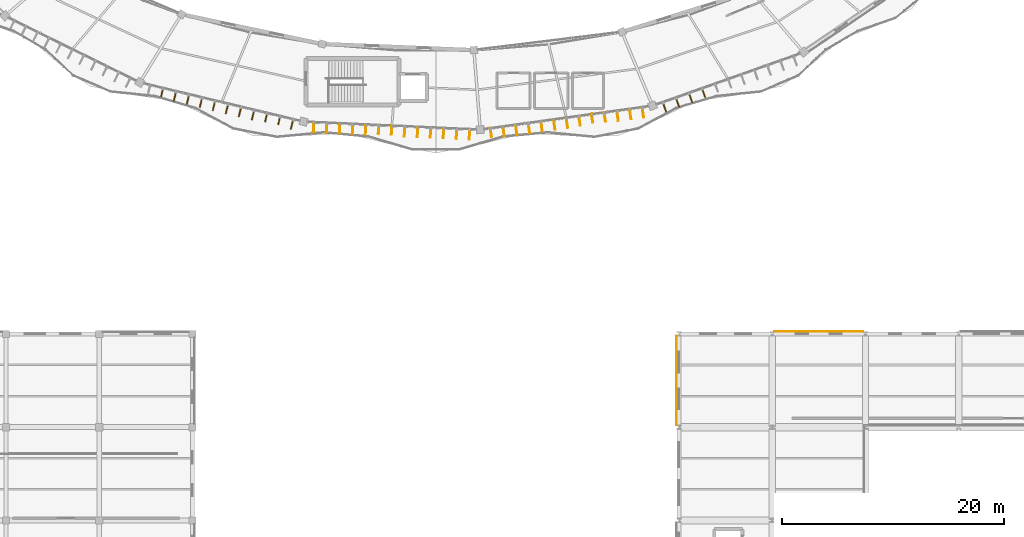
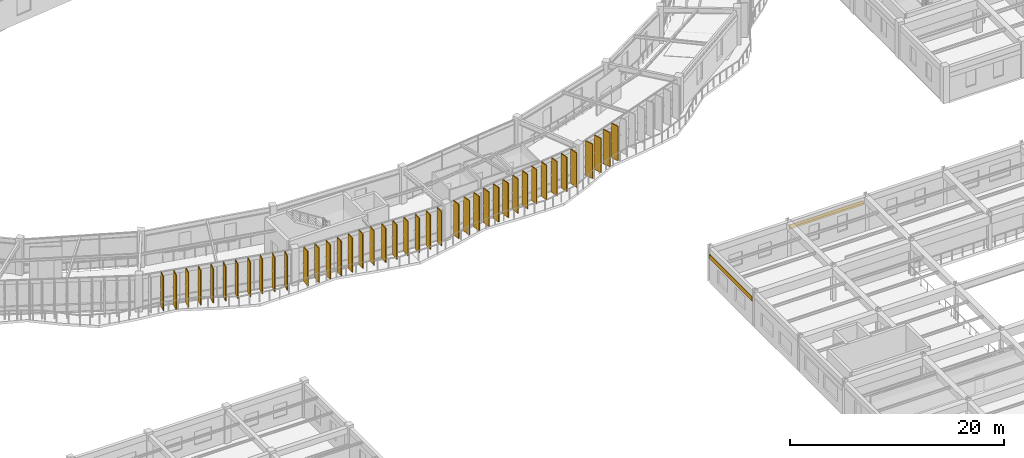
# One storey, part 130 of 138: 41 shading devices, 2 coverings.
"""IFC4 building model written with IfcOpenShell, lengths in metres."""

from ifc_helpers import new_model, si_unit, direction, frame, origin, origin_2d, place, context, subcontext, project, spatial, polyline, rectangle, outline, extrude, material, layer, layer_set, type_object, element, save


model = new_model("IFC4")

# Units and contexts
model_context = context("Model", 3, precision=1e-05, world=origin(), true_north=direction((0.0, 1.0)))
body_context = subcontext(model_context, "Body", "Model", "MODEL_VIEW")
ifc_project = project(units=[si_unit("LENGTHUNIT", "METRE"), si_unit("AREAUNIT", "SQUARE_METRE"), si_unit("VOLUMEUNIT", "CUBIC_METRE"), si_unit("PLANEANGLEUNIT", "RADIAN"), si_unit("MASSUNIT", "GRAM", prefix="KILO"), si_unit("THERMODYNAMICTEMPERATUREUNIT", "KELVIN"), si_unit("POWERUNIT", "WATT")], contexts=[model_context])

# Site, building, storey
site_placement = place(None, origin())
site = spatial("IfcSite", under=ifc_project, at=site_placement, CompositionType="ELEMENT")
building_placement = place(site_placement, origin())
building = spatial("IfcBuilding", under=site, at=building_placement, Name="Darbajah Civic Hall", CompositionType="ELEMENT")
storey_placement = place(building_placement, frame((0.0, 0.0, 9.60009765625)))
storey = spatial("IfcBuildingStorey", under=building, at=storey_placement, Name="L02", CompositionType="ELEMENT", Elevation=9.60009765625)

# Coverings
ifc_material_1 = material(Name="Qatari Desert Limestone Ashlar", Category="masonry")
ifc_layer = layer(ifc_material_1, 0.044921875, Name="Qatari Desert Limestone Ashlar")
ifc_layer_set = layer_set([ifc_layer], Name="Qatari Desert Limestone Ashlar")
covering_type = type_object("IfcCoveringType", Name="Limestone Facade Cladding", PredefinedType="CLADDING", material=ifc_layer_set)
covering_1_placement = place(storey_placement, frame((0.0, 0.0, 2.77001953125)))
element("IfcCovering", 1, at=covering_1_placement, inside=storey, type_object=covering_type, Name="L02 stone frieze cladding EW-V3-L02-S4-B6", PredefinedType="CLADDING", context=body_context, shape_type="SweptSolid", body=[
    extrude(outline(polyline([(127.61181640625, 42.18994140625), (119.58837890625, 42.18994140625), (119.58837890625, 42.235107421875), (127.61181640625, 42.235107421875), (127.61181640625, 42.18994140625)])), origin(), (0.0, 0.0, 1.0), 0.5),
])
covering_2_placement = place(storey_placement, frame((0.0, 0.0, 2.77001953125)))
element("IfcCovering", 2, at=covering_2_placement, inside=storey, type_object=covering_type, Name="L02 stone frieze cladding EW-V3-L02-S5-B0", PredefinedType="CLADDING", context=body_context, shape_type="SweptSolid", body=[
    extrude(outline(polyline([(110.81005859375, 41.81396484375), (110.81005859375, 33.7861328125), (110.764892578125, 33.7861328125), (110.764892578125, 41.81396484375), (110.81005859375, 41.81396484375)])), origin(), (0.0, 0.0, 1.0), 0.5),
])

# Shading devices
ifc_material_2 = material(Name="Bronze Anodised Aluminium and Teak Composite", Category="aluminium")
shading_device_type = type_object("IfcShadingDeviceType", Name="Vertical Bronze Timber Shading Fin", PredefinedType="USERDEFINED", material=ifc_material_2)
for number, where, z_axis, x_axis, name in (
    (3, (64.460693359375, 63.76220703125, 0.0), (0.0, 0.0, 1.0), (-0.232936200179, -0.972492018808, 0.0), "L02 vertical shading fin VF-13-2"),
    (4, (65.603515625, 63.362548828125, 0.0), (0.0, 0.0, 1.0), (-0.232936200179, -0.972492018808, 0.0), "L02 vertical shading fin VF-13-3"),
    (5, (66.77490234375, 63.081787109375, 0.0), (0.0, 0.0, 1.0), (-0.232936200179, -0.972492018808, 0.0), "L02 vertical shading fin VF-13-4"),
    (6, (67.9462890625, 62.80126953125, 0.0), (0.0, 0.0, 1.0), (-0.232936200179, -0.972492018808, 0.0), "L02 vertical shading fin VF-13-5"),
    (7, (69.11767578125, 62.5205078125, 0.0), (0.0, 0.0, 1.0), (-0.232936200179, -0.972492018808, 0.0), "L02 vertical shading fin VF-13-6"),
    (8, (70.289306640625, 62.239990234375, 0.0), (0.0, 0.0, 1.0), (-0.232936200179, -0.972492018808, 0.0), "L02 vertical shading fin VF-13-7"),
    (9, (71.460693359375, 61.959228515625, 0.0), (0.0, 0.0, 1.0), (-0.232936200179, -0.972492018808, 0.0), "L02 vertical shading fin VF-13-8"),
    (10, (72.632080078125, 61.6787109375, 0.0), (0.0, 0.0, 1.0), (-0.232936200179, -0.972492018808, 0.0), "L02 vertical shading fin VF-13-9"),
    (11, (73.828125, 61.501220703125, 0.0), (0.0, 0.0, 1.0), (-0.232936200179, -0.972492018808, 0.0), "L02 vertical shading fin VF-13-10"),
    (12, (75.009521484375, 61.26220703125, 0.0), (0.0, 0.0, 1.0), (-0.232936200179, -0.972492018808, 0.0), "L02 vertical shading fin VF-13-11"),
    (13, (76.148193359375, 60.8447265625, 0.0), (0.0, 0.0, 1.0), (-0.232936200179, -0.972492018808, 0.0), "L02 vertical shading fin VF-13-12"),
    (14, (78.107177734375, 60.55810546875, 0.0), (0.0, 0.0, 1.0), (-0.045537340693, -0.998962637241, 0.0), "L02 vertical shading fin VF-14-1"),
    (15, (79.27685546875, 60.5048828125, 0.0), (0.0, 0.0, 1.0), (-0.045537340693, -0.998962637241, 0.0), "L02 vertical shading fin VF-14-2"),
    (16, (80.4462890625, 60.451416015625, 0.0), (0.0, 0.0, 1.0), (-0.045537340693, -0.998962637241, 0.0), "L02 vertical shading fin VF-14-3"),
    (17, (81.61572265625, 60.398193359375, 0.0), (0.0, 0.0, 1.0), (-0.045537340693, -0.998962637241, 0.0), "L02 vertical shading fin VF-14-4"),
    (18, (82.785400390625, 60.344970703125, 0.0), (0.0, 0.0, 1.0), (-0.045537340693, -0.998962637241, 0.0), "L02 vertical shading fin VF-14-5"),
    (19, (83.9609375, 60.42578125, 0.0), (0.0, 0.0, 1.0), (-0.045537340693, -0.998962637241, 0.0), "L02 vertical shading fin VF-14-6"),
    (20, (85.1298828125, 60.361328125, 0.0), (0.0, 0.0, 1.0), (-0.045537340693, -0.998962637241, 0.0), "L02 vertical shading fin VF-14-7"),
    (21, (86.2939453125, 60.185302734375, 0.0), (0.0, 0.0, 1.0), (-0.045537340693, -0.998962637241, 0.0), "L02 vertical shading fin VF-14-8"),
    (22, (87.46337890625, 60.132080078125, 0.0), (0.0, 0.0, 1.0), (-0.045537340693, -0.998962637241, 0.0), "L02 vertical shading fin VF-14-9"),
    (23, (88.633056640625, 60.078857421875, 0.0), (0.0, 0.0, 1.0), (-0.045537340693, -0.998962637241, 0.0), "L02 vertical shading fin VF-14-10"),
    (24, (89.802490234375, 60.025390625, 0.0), (0.0, 0.0, 1.0), (-0.045537340693, -0.998962637241, 0.0), "L02 vertical shading fin VF-14-11"),
    (25, (90.97216796875, 59.972412109375, 0.0), (0.0, 0.0, 1.0), (-0.045537340693, -0.998962637241, 0.0), "L02 vertical shading fin VF-14-12"),
    (26, (92.1416015625, 59.919189453125, 0.0), (0.0, 0.0, 1.0), (-0.045537340693, -0.998962637241, 0.0), "L02 vertical shading fin VF-14-13"),
    (27, (94.0703125, 60.15673828125, 0.0), (0.0, 0.0, 1.0), (0.137617420457, -0.990485459553, 0.0), "L02 vertical shading fin VF-15-1"),
    (28, (95.22998046875, 60.172607421875, 0.0), (0.0, 0.0, 1.0), (0.137617420457, -0.990485459553, 0.0), "L02 vertical shading fin VF-15-2"),
    (29, (96.37060546875, 60.324951171875, 0.0), (0.0, 0.0, 1.0), (0.137617420457, -0.990485459553, 0.0), "L02 vertical shading fin VF-15-3"),
    (30, (97.510498046875, 60.483154296875, 0.0), (0.0, 0.0, 1.0), (0.137617420457, -0.990485459553, 0.0), "L02 vertical shading fin VF-15-4"),
    (31, (98.650390625, 60.6416015625, 0.0), (0.0, 0.0, 1.0), (0.137617420457, -0.990485459553, 0.0), "L02 vertical shading fin VF-15-5"),
    (32, (99.7900390625, 60.7998046875, 0.0), (0.0, 0.0, 1.0), (0.137617420457, -0.990485459553, 0.0), "L02 vertical shading fin VF-15-6"),
    (33, (100.929931640625, 60.9580078125, 0.0), (0.0, 0.0, 1.0), (0.137617420457, -0.990485459553, 0.0), "L02 vertical shading fin VF-15-7"),
    (34, (102.064453125, 61.156005859375, 0.0), (0.0, 0.0, 1.0), (0.137617420457, -0.990485459553, 0.0), "L02 vertical shading fin VF-15-8"),
    (35, (103.188720703125, 61.426025390625, 0.0), (0.0, 0.0, 1.0), (0.137617420457, -0.990485459553, 0.0), "L02 vertical shading fin VF-15-9"),
    (36, (104.335205078125, 61.53564453125, 0.0), (0.0, 0.0, 1.0), (0.137617420457, -0.990485459553, 0.0), "L02 vertical shading fin VF-15-10"),
    (37, (105.489501953125, 61.59130859375, 0.0), (0.0, 0.0, 1.0), (0.137617420457, -0.990485459553, 0.0), "L02 vertical shading fin VF-15-11"),
    (38, (106.62939453125, 61.74951171875, 0.0), (0.0, 0.0, 1.0), (0.137617420457, -0.990485459553, 0.0), "L02 vertical shading fin VF-15-12"),
    (39, (107.76904296875, 61.907958984375, 0.0), (0.0, 0.0, 1.0), (0.137617420457, -0.990485459553, 0.0), "L02 vertical shading fin VF-15-13"),
    (40, (109.708984375, 62.38623046875, 0.0), (0.0, 0.0, 1.0), (0.334135882844, -0.94252491309, 0.0), "L02 vertical shading fin VF-16-1"),
    (41, (110.885498046875, 62.80322265625, 0.0), (0.0, 0.0, 1.0), (0.334135882844, -0.94252491309, 0.0), "L02 vertical shading fin VF-16-2"),
    (42, (112.06201171875, 63.22021484375, 0.0), (0.0, 0.0, 1.0), (0.334135882844, -0.94252491309, 0.0), "L02 vertical shading fin VF-16-3"),
    (43, (113.213134765625, 63.708984375, 0.0), (0.0, 0.0, 1.0), (0.334135882844, -0.94252491309, 0.0), "L02 vertical shading fin VF-16-4"),
):
    element("IfcShadingDevice", number, at=place(storey_placement, frame(where, z_axis=z_axis, x_axis=x_axis)), inside=storey, type_object=shading_device_type, Name=name, ObjectType="VERTICAL FIN", PredefinedType="USERDEFINED", context=body_context, shape_type="SweptSolid", body=[
        extrude(rectangle(XDim=0.85009765625, YDim=0.090087890625, at=origin_2d()), origin(), (0.0, 0.0, 1.0), 3.919921875),
    ])

save(model, "model.ifc")
